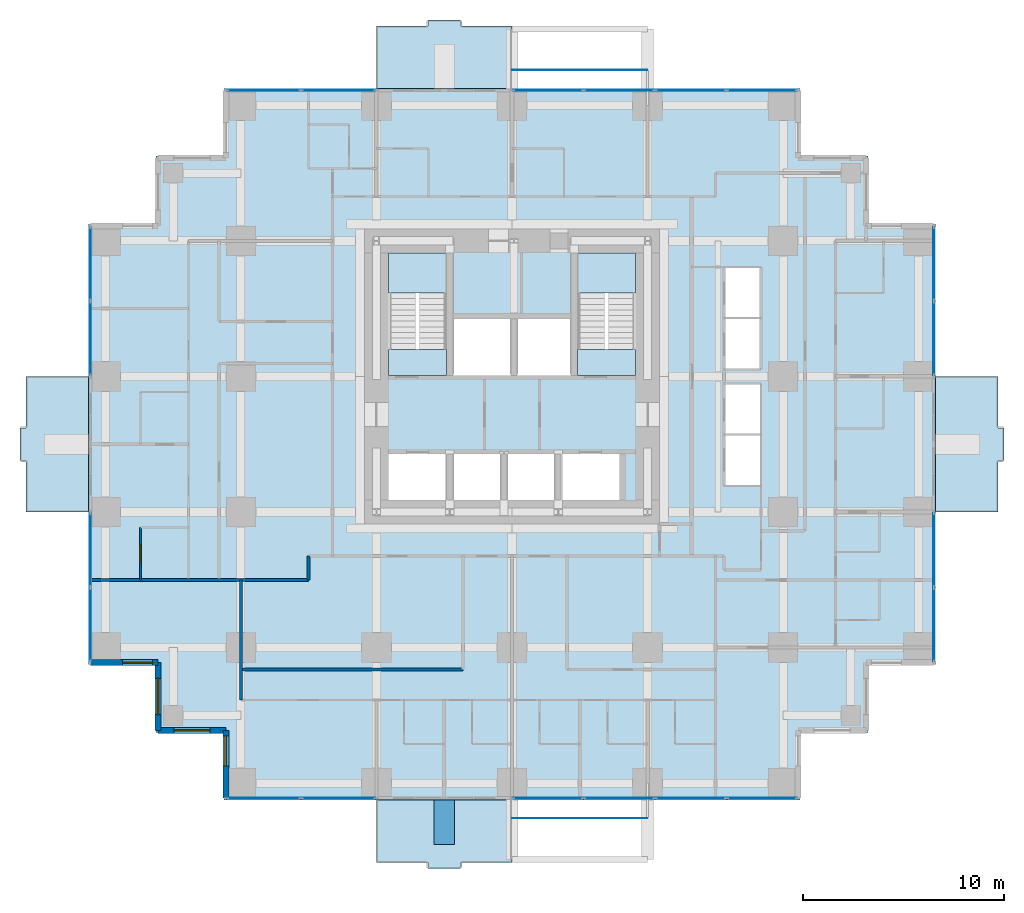
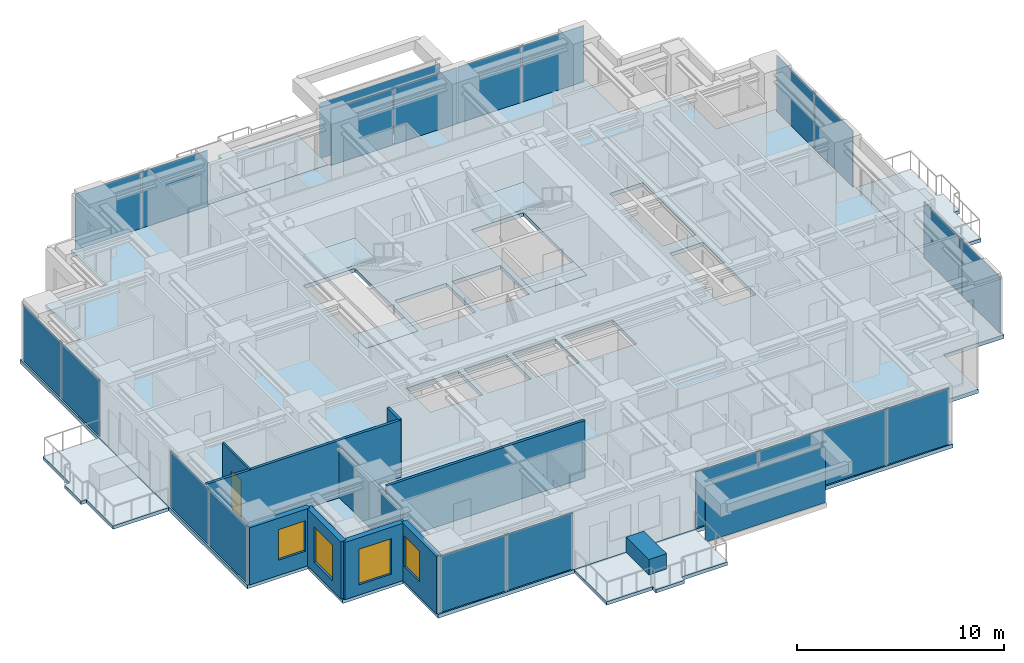
# One storey, part 6 of 13: 22 plates, 10 walls, 9 slabs, 4 windows, 1 door, 5 openings, 10 elements without a shape of their own.
"""IFC4 building model written with IfcOpenShell, lengths in metres."""

from ifc_helpers import new_model, si_unit, direction, frame, frame_2d, origin, origin_2d, place, context, subcontext, project, spatial, polyline, rectangle, outline, extrude, material, layer, layer_set, type_object, element, fill, aggregate, save


model = new_model("IFC4")

# Units and contexts
model_context = context("Model", 3, precision=1e-05, world=origin(), true_north=direction((0.0, 1.0)))
body_context = subcontext(model_context, "Body", "Model", "MODEL_VIEW")
ifc_project = project(units=[si_unit("LENGTHUNIT", "METRE"), si_unit("AREAUNIT", "SQUARE_METRE"), si_unit("VOLUMEUNIT", "CUBIC_METRE"), si_unit("PLANEANGLEUNIT", "RADIAN"), si_unit("MASSUNIT", "GRAM", prefix="KILO")], contexts=[model_context])

# Site, building, storey
site_placement = place(None, origin())
site = spatial("IfcSite", under=ifc_project, at=site_placement, CompositionType="ELEMENT")
building_placement = place(site_placement, origin())
building = spatial("IfcBuilding", under=site, at=building_placement, Name="Nyansa Garden Tower", CompositionType="ELEMENT")
storey_placement = place(building_placement, frame((0.0, 0.0, 123.300048828125)))
storey = spatial("IfcBuildingStorey", under=building, at=storey_placement, Name="L33", CompositionType="ELEMENT", Elevation=123.300048828125)

# Slabs
ifc_material_1 = material(Name="Concrete C40/50", Category="concrete")
ifc_layer_1 = layer(ifc_material_1, 0.199951171875)
ifc_layer_set_1 = layer_set([ifc_layer_1], Name="Balcony slab BS200")
slab_type_1 = type_object("IfcSlabType", Name="Balcony slab BS200", PredefinedType="FLOOR", material=ifc_layer_set_1)
slab_1_placement = place(storey_placement, frame((0.0, 0.0, -0.239990234375)))
element("IfcSlab", 1, at=slab_1_placement, inside=storey, type_object=slab_type_1, Name="Balcony L33 S", PredefinedType="FLOOR", context=body_context, shape_type="SweptSolid", body=[
    extrude(outline(polyline([(13.5, -0.85009765625), (20.25, -0.85009765625), (20.25, -3.949951171875), (17.675048828125, -3.949951171875), (17.675048828125, -4.25), (16.074951171875, -4.25), (16.074951171875, -3.949951171875), (13.5, -3.949951171875), (13.5, -0.85009765625)])), origin(), (0.0, 0.0, 1.0), 0.199951171875),
])
slab_2_placement = place(storey_placement, frame((0.0, 0.0, -0.239990234375)))
element("IfcSlab", 2, at=slab_2_placement, inside=storey, type_object=slab_type_1, Name="Balcony L33 E", PredefinedType="FLOOR", context=body_context, shape_type="SweptSolid", body=[
    extrude(outline(polyline([(41.35009765625, 13.5), (41.35009765625, 20.25), (44.449951171875, 20.25), (44.449951171875, 17.675048828125), (44.75, 17.675048828125), (44.75, 16.074951171875), (44.449951171875, 16.074951171875), (44.449951171875, 13.5), (41.35009765625, 13.5)])), origin(), (0.0, 0.0, 1.0), 0.199951171875),
])
slab_3_placement = place(storey_placement, frame((0.0, 0.0, -0.239990234375)))
element("IfcSlab", 3, at=slab_3_placement, inside=storey, type_object=slab_type_1, Name="Balcony L33 N", PredefinedType="FLOOR", context=body_context, shape_type="SweptSolid", body=[
    extrude(outline(polyline([(13.5, 34.60009765625), (20.25, 34.60009765625), (20.25, 37.699951171875), (17.675048828125, 37.699951171875), (17.675048828125, 38.0), (16.074951171875, 38.0), (16.074951171875, 37.699951171875), (13.5, 37.699951171875), (13.5, 34.60009765625)])), origin(), (0.0, 0.0, 1.0), 0.199951171875),
])
slab_4_placement = place(storey_placement, frame((0.0, 0.0, -0.239990234375)))
element("IfcSlab", 4, at=slab_4_placement, inside=storey, type_object=slab_type_1, Name="Balcony L33 W", PredefinedType="FLOOR", context=body_context, shape_type="SweptSolid", body=[
    extrude(outline(polyline([(-0.85009765625, 13.5), (-0.85009765625, 20.25), (-3.949951171875, 20.25), (-3.949951171875, 17.675048828125), (-4.25, 17.675048828125), (-4.25, 16.074951171875), (-3.949951171875, 16.074951171875), (-3.949951171875, 13.5), (-0.85009765625, 13.5)])), origin(), (0.0, 0.0, 1.0), 0.199951171875),
])

# Curtain wall, plates
ifc_material_2 = material(Name="Black anodised aluminium, dark tinted double glazing", Category="aluminium")
curtain_wall_type = type_object("IfcCurtainWallType", Name="Inner skin curtain wall ISW-B", PredefinedType="USERDEFINED", material=ifc_material_2)
curtain_wall_1_placement = place(storey_placement, origin())
curtain_wall_1 = element("IfcCurtainWall", 5, at=curtain_wall_1_placement, inside=storey, type_object=curtain_wall_type, Name="Inner skin curtain wall L33 E", ObjectType="UNITISED CURTAIN WALL", PredefinedType="USERDEFINED")
ifc_material_3 = material(Name="Dark tinted laminated double glazing", Category="glass")
ifc_layer_2 = layer(ifc_material_3, 0.035888671875)
ifc_layer_set_2 = layer_set([ifc_layer_2], Name="Dark tinted vision panel VP-B")
plate_type_1 = type_object("IfcPlateType", Name="Dark tinted vision panel VP-B", PredefinedType="CURTAIN_PANEL", material=ifc_layer_set_2)
plate_1_placement = place(storey_placement, frame((41.25, 7.891357421875, 0.0), z_axis=(0.0, 0.0, 1.0), x_axis=(0.0, 1.0, 0.0)))
plate_1 = element("IfcPlate", 6, at=plate_1_placement, type_object=plate_type_1, Name="ISW-B panel 1", PredefinedType="CURTAIN_PANEL", context=body_context, shape_type="SweptSolid", body=[
    extrude(rectangle(XDim=3.652587890625, YDim=0.035888671875, at=origin_2d()), origin(), (0.0, 0.0, 1.0), 3.31005859375),
])
plate_2_placement = place(storey_placement, frame((41.25, 11.608642578125, 0.0), z_axis=(0.0, 0.0, 1.0), x_axis=(0.0, 1.0, 0.0)))
plate_2 = element("IfcPlate", 7, at=plate_2_placement, type_object=plate_type_1, Name="ISW-B panel 2", PredefinedType="CURTAIN_PANEL", context=body_context, shape_type="SweptSolid", body=[
    extrude(rectangle(XDim=3.652587890625, YDim=0.035888671875, at=origin_2d()), origin(), (0.0, 0.0, 1.0), 3.31005859375),
])
aggregate(curtain_wall_1, [plate_1, plate_2])

curtain_wall_2_placement = place(storey_placement, origin())
curtain_wall_2 = element("IfcCurtainWall", 8, at=curtain_wall_2_placement, inside=storey, type_object=curtain_wall_type, Name="Inner skin curtain wall L33 E", ObjectType="UNITISED CURTAIN WALL", PredefinedType="USERDEFINED")
plate_3_placement = place(storey_placement, frame((41.25, 22.141357421875, 0.0), z_axis=(0.0, 0.0, 1.0), x_axis=(0.0, 1.0, 0.0)))
plate_3 = element("IfcPlate", 9, at=plate_3_placement, type_object=plate_type_1, Name="ISW-B panel 1", PredefinedType="CURTAIN_PANEL", context=body_context, shape_type="SweptSolid", body=[
    extrude(rectangle(XDim=3.652587890625, YDim=0.035888671875, at=origin_2d()), origin(), (0.0, 0.0, 1.0), 3.31005859375),
])
plate_4_placement = place(storey_placement, frame((41.25, 25.858642578125, 0.0), z_axis=(0.0, 0.0, 1.0), x_axis=(0.0, 1.0, 0.0)))
plate_4 = element("IfcPlate", 10, at=plate_4_placement, type_object=plate_type_1, Name="ISW-B panel 2", PredefinedType="CURTAIN_PANEL", context=body_context, shape_type="SweptSolid", body=[
    extrude(rectangle(XDim=3.652587890625, YDim=0.035888671875, at=origin_2d()), origin(), (0.0, 0.0, 1.0), 3.31005859375),
])
aggregate(curtain_wall_2, [plate_3, plate_4])

curtain_wall_3_placement = place(storey_placement, origin())
curtain_wall_3 = element("IfcCurtainWall", 11, at=curtain_wall_3_placement, inside=storey, type_object=curtain_wall_type, Name="Inner skin curtain wall L33 N", ObjectType="UNITISED CURTAIN WALL", PredefinedType="USERDEFINED")
plate_5_placement = place(storey_placement, frame((11.608642578125, 34.5, 0.0), z_axis=(0.0, 0.0, 1.0), x_axis=(-1.0, 0.0, 0.0)))
plate_5 = element("IfcPlate", 12, at=plate_5_placement, type_object=plate_type_1, Name="ISW-B panel 1", PredefinedType="CURTAIN_PANEL", context=body_context, shape_type="SweptSolid", body=[
    extrude(rectangle(XDim=3.652587890625, YDim=0.035888671875, at=origin_2d()), origin(), (0.0, 0.0, 1.0), 3.31005859375),
])
plate_6_placement = place(storey_placement, frame((7.891357421875, 34.5, 0.0), z_axis=(0.0, 0.0, 1.0), x_axis=(-1.0, 0.0, 0.0)))
plate_6 = element("IfcPlate", 13, at=plate_6_placement, type_object=plate_type_1, Name="ISW-B panel 2", PredefinedType="CURTAIN_PANEL", context=body_context, shape_type="SweptSolid", body=[
    extrude(rectangle(XDim=3.652587890625, YDim=0.035888671875, at=origin_2d()), origin(), (0.0, 0.0, 1.0), 3.31005859375),
])
aggregate(curtain_wall_3, [plate_5, plate_6])

curtain_wall_4_placement = place(storey_placement, origin())
curtain_wall_4 = element("IfcCurtainWall", 14, at=curtain_wall_4_placement, inside=storey, type_object=curtain_wall_type, Name="Inner skin curtain wall L33 N", ObjectType="UNITISED CURTAIN WALL", PredefinedType="USERDEFINED")
plate_7_placement = place(storey_placement, frame((32.702392578125, 34.5, 0.0), z_axis=(0.0, 0.0, 1.0), x_axis=(-1.0, 0.0, 0.0)))
plate_7 = element("IfcPlate", 15, at=plate_7_placement, type_object=plate_type_1, Name="ISW-B panel 1", PredefinedType="CURTAIN_PANEL", context=body_context, shape_type="SweptSolid", body=[
    extrude(rectangle(XDim=3.465087890625, YDim=0.035888671875, at=origin_2d()), origin(), (0.0, 0.0, 1.0), 3.31005859375),
])
plate_8_placement = place(storey_placement, frame((29.15625, 34.5, 0.0), z_axis=(0.0, 0.0, 1.0), x_axis=(-1.0, 0.0, 0.0)))
plate_8 = element("IfcPlate", 16, at=plate_8_placement, type_object=plate_type_1, Name="ISW-B panel 2", PredefinedType="CURTAIN_PANEL", context=body_context, shape_type="SweptSolid", body=[
    extrude(rectangle(XDim=3.49755859375, YDim=0.035888671875, at=origin_2d()), origin(), (0.0, 0.0, 1.0), 3.31005859375),
])
plate_9_placement = place(storey_placement, frame((25.59375, 34.5, 0.0), z_axis=(0.0, 0.0, 1.0), x_axis=(-1.0, 0.0, 0.0)))
plate_9 = element("IfcPlate", 17, at=plate_9_placement, type_object=plate_type_1, Name="ISW-B panel 3", PredefinedType="CURTAIN_PANEL", context=body_context, shape_type="SweptSolid", body=[
    extrude(rectangle(XDim=3.49755859375, YDim=0.035888671875, at=origin_2d()), origin(), (0.0, 0.0, 1.0), 3.31005859375),
])
plate_10_placement = place(storey_placement, frame((22.047607421875, 34.5, 0.0), z_axis=(0.0, 0.0, 1.0), x_axis=(-1.0, 0.0, 0.0)))
plate_10 = element("IfcPlate", 18, at=plate_10_placement, type_object=plate_type_1, Name="ISW-B panel 4", PredefinedType="CURTAIN_PANEL", context=body_context, shape_type="SweptSolid", body=[
    extrude(rectangle(XDim=3.465087890625, YDim=0.035888671875, at=origin_2d()), origin(), (0.0, 0.0, 1.0), 3.31005859375),
])
aggregate(curtain_wall_4, [plate_7, plate_8, plate_9, plate_10])

curtain_wall_5_placement = place(storey_placement, origin())
curtain_wall_5 = element("IfcCurtainWall", 19, at=curtain_wall_5_placement, inside=storey, type_object=curtain_wall_type, Name="Inner skin curtain wall L33 W", ObjectType="UNITISED CURTAIN WALL", PredefinedType="USERDEFINED")
plate_11_placement = place(storey_placement, frame((-0.75, 11.608642578125, 0.0), z_axis=(0.0, 0.0, 1.0), x_axis=(0.0, -1.0, 0.0)))
plate_11 = element("IfcPlate", 20, at=plate_11_placement, type_object=plate_type_1, Name="ISW-B panel 1", PredefinedType="CURTAIN_PANEL", context=body_context, shape_type="SweptSolid", body=[
    extrude(rectangle(XDim=3.652587890625, YDim=0.035888671875, at=origin_2d()), origin(), (0.0, 0.0, 1.0), 3.31005859375),
])
plate_12_placement = place(storey_placement, frame((-0.75, 7.891357421875, 0.0), z_axis=(0.0, 0.0, 1.0), x_axis=(0.0, -1.0, 0.0)))
plate_12 = element("IfcPlate", 21, at=plate_12_placement, type_object=plate_type_1, Name="ISW-B panel 2", PredefinedType="CURTAIN_PANEL", context=body_context, shape_type="SweptSolid", body=[
    extrude(rectangle(XDim=3.652587890625, YDim=0.035888671875, at=origin_2d()), origin(), (0.0, 0.0, 1.0), 3.31005859375),
])
aggregate(curtain_wall_5, [plate_11, plate_12])

curtain_wall_6_placement = place(storey_placement, origin())
curtain_wall_6 = element("IfcCurtainWall", 22, at=curtain_wall_6_placement, inside=storey, type_object=curtain_wall_type, Name="Inner skin curtain wall L33 W", ObjectType="UNITISED CURTAIN WALL", PredefinedType="USERDEFINED")
plate_13_placement = place(storey_placement, frame((-0.75, 25.858642578125, 0.0), z_axis=(0.0, 0.0, 1.0), x_axis=(0.0, -1.0, 0.0)))
plate_13 = element("IfcPlate", 23, at=plate_13_placement, type_object=plate_type_1, Name="ISW-B panel 1", PredefinedType="CURTAIN_PANEL", context=body_context, shape_type="SweptSolid", body=[
    extrude(rectangle(XDim=3.652587890625, YDim=0.035888671875, at=origin_2d()), origin(), (0.0, 0.0, 1.0), 3.31005859375),
])
plate_14_placement = place(storey_placement, frame((-0.75, 22.141357421875, 0.0), z_axis=(0.0, 0.0, 1.0), x_axis=(0.0, -1.0, 0.0)))
plate_14 = element("IfcPlate", 24, at=plate_14_placement, type_object=plate_type_1, Name="ISW-B panel 2", PredefinedType="CURTAIN_PANEL", context=body_context, shape_type="SweptSolid", body=[
    extrude(rectangle(XDim=3.652587890625, YDim=0.035888671875, at=origin_2d()), origin(), (0.0, 0.0, 1.0), 3.31005859375),
])
aggregate(curtain_wall_6, [plate_13, plate_14])

curtain_wall_7_placement = place(storey_placement, origin())
curtain_wall_7 = element("IfcCurtainWall", 25, at=curtain_wall_7_placement, inside=storey, type_object=curtain_wall_type, Name="Inner skin curtain wall L33 S", ObjectType="UNITISED CURTAIN WALL", PredefinedType="USERDEFINED")
plate_15_placement = place(storey_placement, frame((7.891357421875, -0.75, 0.0), z_axis=(0.0, 0.0, 1.0), x_axis=(1.0, 0.0, 0.0)))
plate_15 = element("IfcPlate", 26, at=plate_15_placement, type_object=plate_type_1, Name="ISW-B panel 1", PredefinedType="CURTAIN_PANEL", context=body_context, shape_type="SweptSolid", body=[
    extrude(rectangle(XDim=3.652587890625, YDim=0.035888671875, at=origin_2d()), origin(), (0.0, 0.0, 1.0), 3.31005859375),
])
plate_16_placement = place(storey_placement, frame((11.608642578125, -0.75, 0.0), z_axis=(0.0, 0.0, 1.0), x_axis=(1.0, 0.0, 0.0)))
plate_16 = element("IfcPlate", 27, at=plate_16_placement, type_object=plate_type_1, Name="ISW-B panel 2", PredefinedType="CURTAIN_PANEL", context=body_context, shape_type="SweptSolid", body=[
    extrude(rectangle(XDim=3.652587890625, YDim=0.035888671875, at=origin_2d()), origin(), (0.0, 0.0, 1.0), 3.31005859375),
])
aggregate(curtain_wall_7, [plate_15, plate_16])

curtain_wall_8_placement = place(storey_placement, origin())
curtain_wall_8 = element("IfcCurtainWall", 28, at=curtain_wall_8_placement, inside=storey, type_object=curtain_wall_type, Name="Inner skin curtain wall L33 S", ObjectType="UNITISED CURTAIN WALL", PredefinedType="USERDEFINED")
plate_17_placement = place(storey_placement, frame((22.047607421875, -0.75, 0.0), z_axis=(0.0, 0.0, 1.0), x_axis=(1.0, 0.0, 0.0)))
plate_17 = element("IfcPlate", 29, at=plate_17_placement, type_object=plate_type_1, Name="ISW-B panel 1", PredefinedType="CURTAIN_PANEL", context=body_context, shape_type="SweptSolid", body=[
    extrude(rectangle(XDim=3.465087890625, YDim=0.035888671875, at=origin_2d()), origin(), (0.0, 0.0, 1.0), 3.31005859375),
])
plate_18_placement = place(storey_placement, frame((25.59375, -0.75, 0.0), z_axis=(0.0, 0.0, 1.0), x_axis=(1.0, 0.0, 0.0)))
plate_18 = element("IfcPlate", 30, at=plate_18_placement, type_object=plate_type_1, Name="ISW-B panel 2", PredefinedType="CURTAIN_PANEL", context=body_context, shape_type="SweptSolid", body=[
    extrude(rectangle(XDim=3.49755859375, YDim=0.035888671875, at=origin_2d()), origin(), (0.0, 0.0, 1.0), 3.31005859375),
])
plate_19_placement = place(storey_placement, frame((29.15625, -0.75, 0.0), z_axis=(0.0, 0.0, 1.0), x_axis=(1.0, 0.0, 0.0)))
plate_19 = element("IfcPlate", 31, at=plate_19_placement, type_object=plate_type_1, Name="ISW-B panel 3", PredefinedType="CURTAIN_PANEL", context=body_context, shape_type="SweptSolid", body=[
    extrude(rectangle(XDim=3.49755859375, YDim=0.035888671875, at=origin_2d()), origin(), (0.0, 0.0, 1.0), 3.31005859375),
])
plate_20_placement = place(storey_placement, frame((32.702392578125, -0.75, 0.0), z_axis=(0.0, 0.0, 1.0), x_axis=(1.0, 0.0, 0.0)))
plate_20 = element("IfcPlate", 32, at=plate_20_placement, type_object=plate_type_1, Name="ISW-B panel 4", PredefinedType="CURTAIN_PANEL", context=body_context, shape_type="SweptSolid", body=[
    extrude(rectangle(XDim=3.465087890625, YDim=0.035888671875, at=origin_2d()), origin(), (0.0, 0.0, 1.0), 3.31005859375),
])
aggregate(curtain_wall_8, [plate_17, plate_18, plate_19, plate_20])

# Slab
ifc_material_4 = material(Name="Concrete C40/50", Category="concrete")
ifc_layer_3 = layer(ifc_material_4, 0.22509765625)
ifc_layer_set_3 = layer_set([ifc_layer_3], Name="Floor slab FS225")
slab_type_2 = type_object("IfcSlabType", Name="Floor slab FS225", PredefinedType="FLOOR", material=ifc_layer_set_3)
slab_5_placement = place(storey_placement, frame((0.0, 0.0, -0.22509765625)))
element("IfcSlab", 33, at=slab_5_placement, inside=storey, type_object=slab_type_2, Name="Floor slab L33", PredefinedType="FLOOR", context=body_context, shape_type="SweptSolid", body=[
    extrude(outline(polyline([(41.35009765625, 5.89990234375), (37.97509765625, 5.89990234375), (37.97509765625, 2.52490234375), (34.60009765625, 2.52490234375), (34.60009765625, -0.85009765625), (5.89990234375, -0.85009765625), (5.89990234375, 2.52490234375), (2.52490234375, 2.52490234375), (2.52490234375, 5.89990234375), (-0.85009765625, 5.89990234375), (-0.85009765625, 27.85009765625), (2.52490234375, 27.85009765625), (2.52490234375, 31.22509765625), (5.89990234375, 31.22509765625), (5.89990234375, 34.60009765625), (34.60009765625, 34.60009765625), (34.60009765625, 31.22509765625), (37.97509765625, 31.22509765625), (37.97509765625, 27.85009765625), (41.35009765625, 27.85009765625), (41.35009765625, 5.89990234375)]), holes=[polyline([(14.10009765625, 14.10009765625), (17.0, 14.10009765625), (17.0, 16.39990234375), (14.10009765625, 16.39990234375), (14.10009765625, 14.10009765625)]), polyline([(17.300048828125, 14.10009765625), (19.699951171875, 14.10009765625), (19.699951171875, 16.39990234375), (17.300048828125, 16.39990234375), (17.300048828125, 14.10009765625)]), polyline([(20.0, 14.10009765625), (22.39990234375, 14.10009765625), (22.39990234375, 16.39990234375), (20.0, 16.39990234375), (20.0, 14.10009765625)]), polyline([(22.699951171875, 14.10009765625), (25.60009765625, 14.10009765625), (25.60009765625, 16.39990234375), (22.699951171875, 16.39990234375), (22.699951171875, 14.10009765625)]), polyline([(17.300048828125, 20.300048828125), (20.199951171875, 20.300048828125), (20.199951171875, 23.10009765625), (17.300048828125, 23.10009765625), (17.300048828125, 20.300048828125)]), polyline([(20.5, 20.300048828125), (23.199951171875, 20.300048828125), (23.199951171875, 23.10009765625), (20.5, 23.10009765625), (20.5, 20.300048828125)]), polyline([(30.800048828125, 14.800048828125), (32.64990234375, 14.800048828125), (32.64990234375, 19.89990234375), (30.800048828125, 19.89990234375), (30.800048828125, 14.800048828125)]), polyline([(30.800048828125, 20.60009765625), (32.64990234375, 20.60009765625), (32.64990234375, 25.699951171875), (30.800048828125, 25.699951171875), (30.800048828125, 20.60009765625)]), polyline([(14.10009765625, 20.300048828125), (17.0, 20.300048828125), (17.0, 26.39990234375), (14.10009765625, 26.39990234375), (14.10009765625, 20.300048828125)]), polyline([(23.5, 20.300048828125), (26.39990234375, 20.300048828125), (26.39990234375, 26.39990234375), (23.5, 26.39990234375), (23.5, 20.300048828125)])]), origin(), (0.0, 0.0, 1.0), 0.22509765625),
])

# Plates
ifc_material_5 = material(Name="Dark tinted laminated glass", Category="glass")
ifc_layer_4 = layer(ifc_material_5, 0.02392578125)
ifc_layer_set_4 = layer_set([ifc_layer_4], Name="Outer skin glass panel OS1")
plate_type_2 = type_object("IfcPlateType", Name="Outer skin glass panel OS1", PredefinedType="USERDEFINED", material=ifc_layer_set_4)
for number, where, z_axis, x_axis, name in (
    (34, (23.625, 35.5, -0.22509765625), (0.0, 0.0, 1.0), (1.0, 0.0, 0.0), "Outer skin glass panel L33"),
    (35, (23.625, -1.75, -0.22509765625), (0.0, 0.0, 1.0), (1.0, 0.0, 0.0), "Outer skin glass panel L33"),
):
    element("IfcPlate", number, at=place(storey_placement, frame(where, z_axis=z_axis, x_axis=x_axis)), inside=storey, type_object=plate_type_2, Name=name, ObjectType="OUTER SKIN GLASS", PredefinedType="USERDEFINED", context=body_context, shape_type="SweptSolid", body=[
        extrude(rectangle(XDim=6.7099609375, YDim=0.02392578125, at=origin_2d()), origin(), (0.0, 0.0, 1.0), 3.300048828125),
    ])

# Stair, slabs
ifc_material_6 = material(Name="Precast concrete C40/50", Category="concrete")
stair_type_1 = type_object("IfcStairType", Name="Stair S1 164x280", PredefinedType="HALF_TURN_STAIR", material=ifc_material_6)
stair_1_placement = place(storey_placement, origin())
stair_1 = element("IfcStair", 36, at=stair_1_placement, inside=storey, type_object=stair_type_1, Name="Stair S1 L33", PredefinedType="HALF_TURN_STAIR")
ifc_material_7 = material(Name="Concrete C40/50", Category="concrete")
ifc_layer_5 = layer(ifc_material_7, 0.199951171875)
ifc_layer_set_5 = layer_set([ifc_layer_5], Name="Stair landing SL200")
slab_type_3 = type_object("IfcSlabType", Name="Stair landing SL200", PredefinedType="LANDING", material=ifc_layer_set_5)
slab_6_placement = place(storey_placement, frame((0.0, 0.0, -0.199951171875)))
slab_6 = element("IfcSlab", 37, at=slab_6_placement, type_object=slab_type_3, Name="S1 landing 1", PredefinedType="LANDING", context=body_context, shape_type="SweptSolid", body=[
    extrude(outline(polyline([(14.10009765625, 20.300048828125), (17.0, 20.300048828125), (17.0, 21.60009765625), (14.10009765625, 21.60009765625), (14.10009765625, 20.300048828125)])), origin(), (0.0, 0.0, 1.0), 0.199951171875),
])
slab_7_placement = place(storey_placement, frame((0.0, 0.0, 1.599853515625)))
slab_7 = element("IfcSlab", 38, at=slab_7_placement, type_object=slab_type_3, Name="S1 landing 2", PredefinedType="LANDING", context=body_context, shape_type="SweptSolid", body=[
    extrude(outline(polyline([(14.10009765625, 24.39990234375), (17.0, 24.39990234375), (17.0, 26.39990234375), (14.10009765625, 26.39990234375), (14.10009765625, 24.39990234375)])), origin(), (0.0, 0.0, 1.0), 0.2001953125),
])
aggregate(stair_1, [slab_6, slab_7])

ifc_material_8 = material(Name="Precast concrete C40/50", Category="concrete")
stair_type_2 = type_object("IfcStairType", Name="Stair S2 164x280", PredefinedType="HALF_TURN_STAIR", material=ifc_material_8)
stair_2_placement = place(storey_placement, origin())
stair_2 = element("IfcStair", 39, at=stair_2_placement, inside=storey, type_object=stair_type_2, Name="Stair S2 L33", PredefinedType="HALF_TURN_STAIR")
slab_8_placement = place(storey_placement, frame((0.0, 0.0, -0.199951171875)))
slab_8 = element("IfcSlab", 40, at=slab_8_placement, type_object=slab_type_3, Name="S2 landing 1", PredefinedType="LANDING", context=body_context, shape_type="SweptSolid", body=[
    extrude(outline(polyline([(23.5, 20.300048828125), (26.39990234375, 20.300048828125), (26.39990234375, 21.60009765625), (23.5, 21.60009765625), (23.5, 20.300048828125)])), origin(), (0.0, 0.0, 1.0), 0.199951171875),
])
slab_9_placement = place(storey_placement, frame((0.0, 0.0, 1.599853515625)))
slab_9 = element("IfcSlab", 41, at=slab_9_placement, type_object=slab_type_3, Name="S2 landing 2", PredefinedType="LANDING", context=body_context, shape_type="SweptSolid", body=[
    extrude(outline(polyline([(23.5, 24.39990234375), (26.39990234375, 24.39990234375), (26.39990234375, 26.39990234375), (23.5, 26.39990234375), (23.5, 24.39990234375)])), origin(), (0.0, 0.0, 1.0), 0.2001953125),
])
aggregate(stair_2, [slab_8, slab_9])

# Walls
ifc_material_9 = material(Name="Blockwork, plastered both sides", Category="masonry")
ifc_layer_6 = layer(ifc_material_9, 0.14990234375)
ifc_layer_set_6 = layer_set([ifc_layer_6], Name="Partition PW150")
wall_type_1 = type_object("IfcWallType", Name="Partition PW150", PredefinedType="PARTITIONING", material=ifc_layer_set_6)
wall_1_placement = place(storey_placement, frame((-0.73388671875, 10.125, 0.0), z_axis=(0.0, 0.0, 1.0), x_axis=(1.0, 0.0, 0.0)))
element("IfcWall", 42, at=wall_1_placement, inside=storey, type_object=wall_type_1, Name="Partition", PredefinedType="PARTITIONING", context=body_context, shape_type="SweptSolid", body=[
    extrude(rectangle(XDim=10.85888671875, YDim=0.14990234375, at=frame_2d((5.429443359375, 0.0))), origin(), (0.0, 0.0, 1.0), 3.375),
])
wall_2_placement = place(storey_placement, frame((6.75, 4.14990234375, 0.0), z_axis=(0.0, 0.0, 1.0), x_axis=(0.0, 1.0, 0.0)))
element("IfcWall", 43, at=wall_2_placement, inside=storey, type_object=wall_type_1, Name="Partition", PredefinedType="PARTITIONING", context=body_context, shape_type="SweptSolid", body=[
    extrude(rectangle(XDim=5.97509765625, YDim=0.14990234375, at=frame_2d((2.987548828125, 0.0))), origin(), (0.0, 0.0, 1.0), 2.876953125),
])
wall_3_placement = place(storey_placement, frame((6.75, 5.64990234375, 0.0), z_axis=(0.0, 0.0, 1.0), x_axis=(1.0, 0.0, 0.0)))
element("IfcWall", 44, at=wall_3_placement, inside=storey, type_object=wall_type_1, Name="Partition", PredefinedType="PARTITIONING", context=body_context, shape_type="SweptSolid", body=[
    extrude(rectangle(XDim=11.050048828125, YDim=0.14990234375, at=frame_2d((5.52490234375, 0.0))), origin(), (0.0, 0.0, 1.0), 3.375),
])
wall_4_placement = place(storey_placement, frame((10.125, 10.125, 0.0), z_axis=(0.0, 0.0, 1.0), x_axis=(0.0, 1.0, 0.0)))
element("IfcWall", 45, at=wall_4_placement, inside=storey, type_object=wall_type_1, Name="Partition", PredefinedType="PARTITIONING", context=body_context, shape_type="SweptSolid", body=[
    extrude(rectangle(XDim=1.175048828125, YDim=0.14990234375, at=frame_2d((0.58740234375, 0.0))), origin(), (0.0, 0.0, 1.0), 3.375),
])

# Wall, opening, window
ifc_material_10 = material(Name="Turquoise glazed tile on concrete blockwork", Category="masonry")
ifc_layer_7 = layer(ifc_material_10, 0.300048828125)
ifc_layer_set_7 = layer_set([ifc_layer_7], Name="Tiled corner wall TW300")
wall_type_2 = type_object("IfcWallType", Name="Tiled corner wall TW300", PredefinedType="SOLIDWALL", material=ifc_layer_set_7)
wall_5_placement = place(storey_placement, frame((-0.75, 6.0, 0.0), z_axis=(0.0, 0.0, 1.0), x_axis=(1.0, 0.0, 0.0)))
wall_5 = element("IfcWall", 46, at=wall_5_placement, inside=storey, type_object=wall_type_2, Name="Tiled corner wall L33", PredefinedType="SOLIDWALL", context=body_context, shape_type="SweptSolid", body=[
    extrude(rectangle(XDim=3.375, YDim=0.300048828125, at=frame_2d((1.6875, 0.0))), origin(), (0.0, 0.0, 1.0), 3.375),
])
opening_1_placement = place(wall_5_placement, frame((1.607421875, 0.0, 0.89990234375)))
opening_1 = element("IfcOpeningElement", 47, at=opening_1_placement, cuts=wall_5, Name="Opening W1", PredefinedType="OPENING", context=body_context, shape_type="SweptSolid", body=[
    extrude(rectangle(XDim=1.5, YDim=1.800048828125, at=frame_2d((0.75, 0.89990234375))), frame((0.0, 0.159912109375, 0.0), z_axis=(0.0, -1.0, 0.0), x_axis=(1.0, 0.0, 0.0)), (0.0, 0.0, 1.0), 0.320068359375),
])
ifc_material_11 = material(Name="Black aluminium frame, dark tinted double glazing", Category="aluminium")
window_type_1 = type_object("IfcWindowType", Name="Window W1 1500x1800", PartitioningType="SINGLE_PANEL", PredefinedType="WINDOW", material=ifc_material_11)
window_1_placement = place(opening_1_placement, origin())
window_1 = element("IfcWindow", 48, at=window_1_placement, inside=storey, type_object=window_type_1, Name="Corner window L33", OverallHeight=1.800048828125, OverallWidth=1.5, PartitioningType="SINGLE_PANEL", PredefinedType="WINDOW", context=body_context, shape_type="SweptSolid", body=[
    extrude(rectangle(XDim=1.5, YDim=1.800048828125, at=frame_2d((0.75, 0.89990234375))), frame((0.0, 0.030029296875, 0.0), z_axis=(0.0, -1.0, 0.0), x_axis=(1.0, 0.0, 0.0)), (0.0, 0.0, 1.0), 0.06005859375),
])
fill(opening_1, window_1)

wall_6_placement = place(storey_placement, frame((2.625, 6.0, 0.0), z_axis=(0.0, 0.0, 1.0), x_axis=(0.0, -1.0, 0.0)))
wall_6 = element("IfcWall", 49, at=wall_6_placement, inside=storey, type_object=wall_type_2, Name="Tiled corner wall L33", PredefinedType="SOLIDWALL", context=body_context, shape_type="SweptSolid", body=[
    extrude(rectangle(XDim=3.375, YDim=0.300048828125, at=frame_2d((1.6875, 0.0))), origin(), (0.0, 0.0, 1.0), 3.375),
])
opening_2_placement = place(wall_6_placement, frame((0.78759765625, 0.0, 0.60009765625)))
opening_2 = element("IfcOpeningElement", 50, at=opening_2_placement, cuts=wall_6, Name="Opening W2", PredefinedType="OPENING", context=body_context, shape_type="SweptSolid", body=[
    extrude(rectangle(XDim=1.800048828125, YDim=2.10009765625, at=frame_2d((0.89990234375, 1.050048828125))), frame((0.0, 0.159912109375, 0.0), z_axis=(0.0, -1.0, 0.0), x_axis=(1.0, 0.0, 0.0)), (0.0, 0.0, 1.0), 0.320068359375),
])
ifc_material_12 = material(Name="Black aluminium frame, dark tinted double glazing", Category="aluminium")
window_type_2 = type_object("IfcWindowType", Name="Window W2 1800x2100", PartitioningType="SINGLE_PANEL", PredefinedType="WINDOW", material=ifc_material_12)
window_2_placement = place(opening_2_placement, origin())
window_2 = element("IfcWindow", 51, at=window_2_placement, inside=storey, type_object=window_type_2, Name="Corner window L33", OverallHeight=2.10009765625, OverallWidth=1.800048828125, PartitioningType="SINGLE_PANEL", PredefinedType="WINDOW", context=body_context, shape_type="SweptSolid", body=[
    extrude(rectangle(XDim=1.800048828125, YDim=2.10009765625, at=frame_2d((0.89990234375, 1.050048828125))), frame((0.0, 0.030029296875, 0.0), z_axis=(0.0, -1.0, 0.0), x_axis=(1.0, 0.0, 0.0)), (0.0, 0.0, 1.0), 0.06005859375),
])
fill(opening_2, window_2)

wall_7_placement = place(storey_placement, frame((2.625, 2.625, 0.0), z_axis=(0.0, 0.0, 1.0), x_axis=(1.0, 0.0, 0.0)))
wall_7 = element("IfcWall", 52, at=wall_7_placement, inside=storey, type_object=wall_type_2, Name="Tiled corner wall L33", PredefinedType="SOLIDWALL", context=body_context, shape_type="SweptSolid", body=[
    extrude(rectangle(XDim=3.375, YDim=0.300048828125, at=frame_2d((1.6875, 0.0))), origin(), (0.0, 0.0, 1.0), 3.375),
])
opening_3_placement = place(wall_7_placement, frame((0.78759765625, 0.0, 0.60009765625)))
opening_3 = element("IfcOpeningElement", 53, at=opening_3_placement, cuts=wall_7, Name="Opening W2", PredefinedType="OPENING", context=body_context, shape_type="SweptSolid", body=[
    extrude(rectangle(XDim=1.800048828125, YDim=2.10009765625, at=frame_2d((0.89990234375, 1.050048828125))), frame((0.0, 0.159912109375, 0.0), z_axis=(0.0, -1.0, 0.0), x_axis=(1.0, 0.0, 0.0)), (0.0, 0.0, 1.0), 0.320068359375),
])
window_3_placement = place(opening_3_placement, origin())
window_3 = element("IfcWindow", 54, at=window_3_placement, inside=storey, type_object=window_type_2, Name="Corner window L33", OverallHeight=2.10009765625, OverallWidth=1.800048828125, PartitioningType="SINGLE_PANEL", PredefinedType="WINDOW", context=body_context, shape_type="SweptSolid", body=[
    extrude(rectangle(XDim=1.800048828125, YDim=2.10009765625, at=frame_2d((0.89990234375, 1.050048828125))), frame((0.0, 0.030029296875, 0.0), z_axis=(0.0, -1.0, 0.0), x_axis=(1.0, 0.0, 0.0)), (0.0, 0.0, 1.0), 0.06005859375),
])
fill(opening_3, window_3)

wall_8_placement = place(storey_placement, frame((6.0, 2.625, 0.0), z_axis=(0.0, 0.0, 1.0), x_axis=(0.0, -1.0, 0.0)))
wall_8 = element("IfcWall", 55, at=wall_8_placement, inside=storey, type_object=wall_type_2, Name="Tiled corner wall L33", PredefinedType="SOLIDWALL", context=body_context, shape_type="SweptSolid", body=[
    extrude(rectangle(XDim=3.375, YDim=0.300048828125, at=frame_2d((1.6875, 0.0))), origin(), (0.0, 0.0, 1.0), 3.375),
])
opening_4_placement = place(wall_8_placement, frame((0.267578125, 0.0, 0.89990234375)))
opening_4 = element("IfcOpeningElement", 56, at=opening_4_placement, cuts=wall_8, Name="Opening W1", PredefinedType="OPENING", context=body_context, shape_type="SweptSolid", body=[
    extrude(rectangle(XDim=1.5, YDim=1.800048828125, at=frame_2d((0.75, 0.89990234375))), frame((0.0, 0.159912109375, 0.0), z_axis=(0.0, -1.0, 0.0), x_axis=(1.0, 0.0, 0.0)), (0.0, 0.0, 1.0), 0.320068359375),
])
window_4_placement = place(opening_4_placement, origin())
window_4 = element("IfcWindow", 57, at=window_4_placement, inside=storey, type_object=window_type_1, Name="Corner window L33", OverallHeight=1.800048828125, OverallWidth=1.5, PartitioningType="SINGLE_PANEL", PredefinedType="WINDOW", context=body_context, shape_type="SweptSolid", body=[
    extrude(rectangle(XDim=1.5, YDim=1.800048828125, at=frame_2d((0.75, 0.89990234375))), frame((0.0, 0.030029296875, 0.0), z_axis=(0.0, -1.0, 0.0), x_axis=(1.0, 0.0, 0.0)), (0.0, 0.0, 1.0), 0.06005859375),
])
fill(opening_4, window_4)

# Wall
ifc_material_13 = material(Name="Concrete C40/50 planter, waterproofed", Category="concrete")
ifc_layer_8 = layer(ifc_material_13, 1.0)
ifc_layer_set_8 = layer_set([ifc_layer_8], Name="Tree planter TP1")
wall_type_3 = type_object("IfcWallType", Name="Tree planter TP1", PredefinedType="USERDEFINED", material=ifc_layer_set_8)
wall_9_placement = place(storey_placement, frame((16.875, -0.85009765625, 0.0), z_axis=(0.0, 0.0, 1.0), x_axis=(0.0, -1.0, 0.0)))
element("IfcWall", 58, at=wall_9_placement, inside=storey, type_object=wall_type_3, Name="Tree planter L33", ObjectType="TREE PLANTER", PredefinedType="USERDEFINED", context=body_context, shape_type="SweptSolid", body=[
    extrude(rectangle(XDim=2.199951171875, YDim=1.0, at=frame_2d((1.10009765625, 0.0))), origin(), (0.0, 0.0, 1.0), 0.89990234375),
])

# Wall, opening, door
ifc_material_14 = material(Name="Moisture resistant board on steel studs, tiled", Category="steel")
ifc_layer_9 = layer(ifc_material_14, 0.10009765625)
ifc_layer_set_9 = layer_set([ifc_layer_9], Name="Wet wall PW100")
wall_type_4 = type_object("IfcWallType", Name="Wet wall PW100", PredefinedType="PARTITIONING", material=ifc_layer_set_9)
wall_10_placement = place(storey_placement, frame((1.75, 10.125, 0.0), z_axis=(0.0, 0.0, 1.0), x_axis=(0.0, 1.0, 0.0)))
wall_10 = element("IfcWall", 59, at=wall_10_placement, inside=storey, type_object=wall_type_4, Name="Wet wall", PredefinedType="PARTITIONING", context=body_context, shape_type="SweptSolid", body=[
    extrude(rectangle(XDim=2.60009765625, YDim=0.10009765625, at=frame_2d((1.300048828125, 0.0))), origin(), (0.0, 0.0, 1.0), 3.375),
])
opening_5_placement = place(wall_10_placement, frame((0.85009765625, 0.0, 0.0)))
opening_5 = element("IfcOpeningElement", 60, at=opening_5_placement, cuts=wall_10, Name="Opening D02", PredefinedType="OPENING", context=body_context, shape_type="SweptSolid", body=[
    extrude(rectangle(XDim=0.89990234375, YDim=2.199951171875, at=frame_2d((0.449951171875, 1.10009765625))), frame((0.0, 0.06005859375, 0.0), z_axis=(0.0, -1.0, 0.0), x_axis=(1.0, 0.0, 0.0)), (0.0, 0.0, 1.0), 0.1201171875),
])
ifc_material_15 = material(Name="Timber flush door", Category="wood")
door_type = type_object("IfcDoorType", Name="En-suite door D02 900x2200", OperationType="SINGLE_SWING_RIGHT", PredefinedType="DOOR", material=ifc_material_15)
door_placement = place(opening_5_placement, origin())
door = element("IfcDoor", 61, at=door_placement, inside=storey, type_object=door_type, Name="Door L33-054", OperationType="SINGLE_SWING_RIGHT", OverallHeight=2.199951171875, OverallWidth=0.89990234375, PredefinedType="DOOR", context=body_context, shape_type="SweptSolid", body=[
    extrude(rectangle(XDim=0.89990234375, YDim=2.199951171875, at=frame_2d((0.449951171875, 1.10009765625))), frame((0.0, 0.02490234375, 0.0), z_axis=(0.0, -1.0, 0.0), x_axis=(1.0, 0.0, 0.0)), (0.0, 0.0, 1.0), 0.050048828125),
])
fill(opening_5, door)

save(model, "model.ifc")
